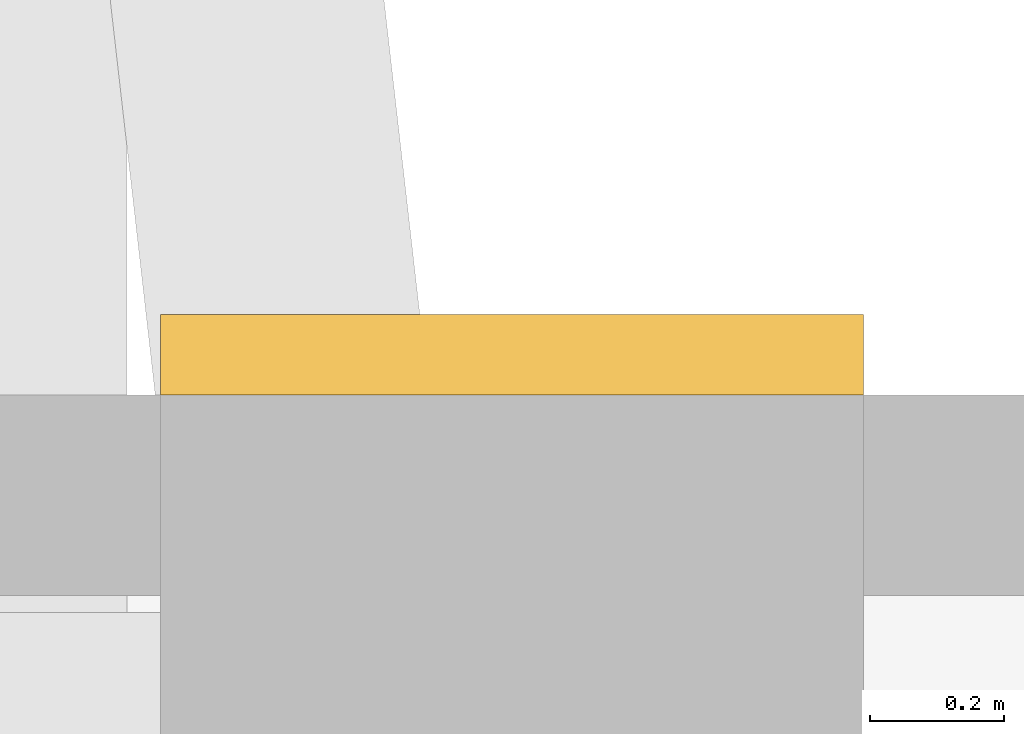
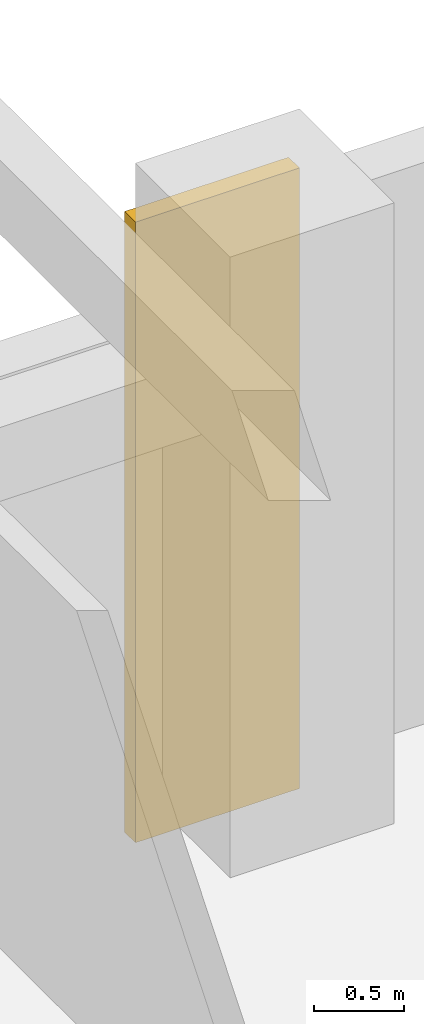
# One storey, part 15 of 15: 1 covering.
"""IFC4 building model written with IfcOpenShell, lengths in metres."""

from ifc_helpers import new_model, si_unit, direction, frame, origin, origin_2d, place, context, subcontext, project, spatial, rectangle, extrude, source, transform, mapped, material, type_object, element, save


model = new_model("IFC4")

# Units and contexts
model_context = context("Model", 3, precision=1e-05, world=origin(), true_north=direction((0.0, 1.0)))
body_context = subcontext(model_context, "Body", "Model", "MODEL_VIEW")
ifc_project = project(units=[si_unit("LENGTHUNIT", "METRE"), si_unit("AREAUNIT", "SQUARE_METRE"), si_unit("VOLUMEUNIT", "CUBIC_METRE"), si_unit("PLANEANGLEUNIT", "RADIAN"), si_unit("MASSUNIT", "GRAM", prefix="KILO")], contexts=[model_context])

# Site, building, storey
site_placement = place(None, origin())
site = spatial("IfcSite", under=ifc_project, at=site_placement, CompositionType="ELEMENT")
building_placement = place(site_placement, origin())
building = spatial("IfcBuilding", under=site, at=building_placement, Name="Aurelian Terraces", CompositionType="ELEMENT")
storey_placement = place(building_placement, frame((0.0, 0.0, 107.7)))
storey = spatial("IfcBuildingStorey", under=building, at=storey_placement, Name="L23", CompositionType="ELEMENT", Elevation=107.7)

# Covering
ifc_material = material(Name="Terracotta rainscreen cladding relief", Category="masonry")
covering_type = type_object("IfcCoveringType", Name="BAGUETTE-TC", PredefinedType="CLADDING", material=ifc_material)
shared_shape = source(origin(), body_context, "Body", "SweptSolid", [
    extrude(rectangle(XDim=1.05, YDim=0.12, at=origin_2d()), origin(), (0.0, 0.0, 1.0), 4.2),
])
covering_placement = place(storey_placement, frame((63.84, 21.06, -0.4), z_axis=(0.0, 0.0, 1.0), x_axis=(1.0, 0.0, 0.0)))
element("IfcCovering", 1, at=covering_placement, inside=storey, type_object=covering_type, Name="BAGUETTE pier L23 9", PredefinedType="CLADDING", context=body_context, shape_type="MappedRepresentation", body=[
    mapped(shared_shape, transform((0.0, 0.0, 0.0), scale=1.0)),
])

save(model, "model.ifc")
